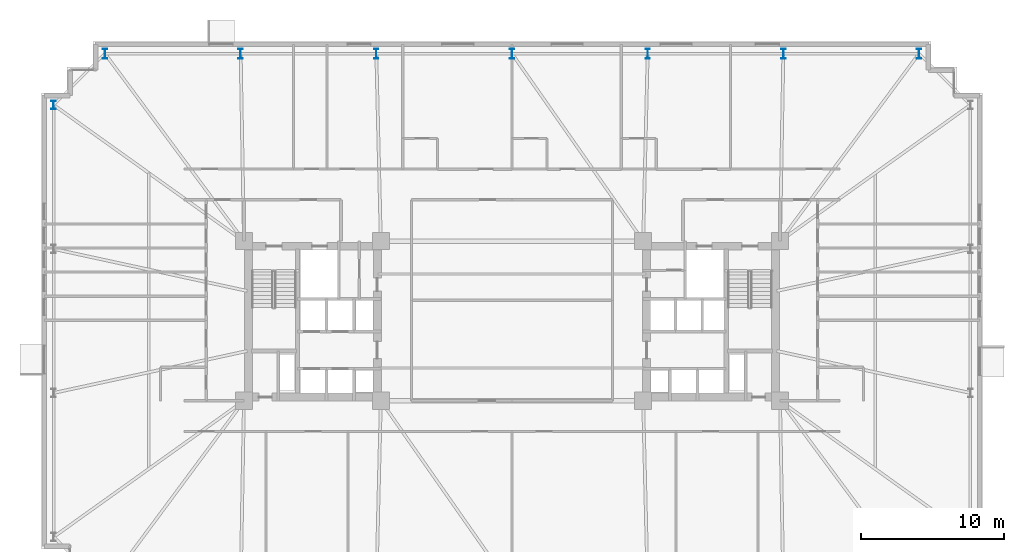
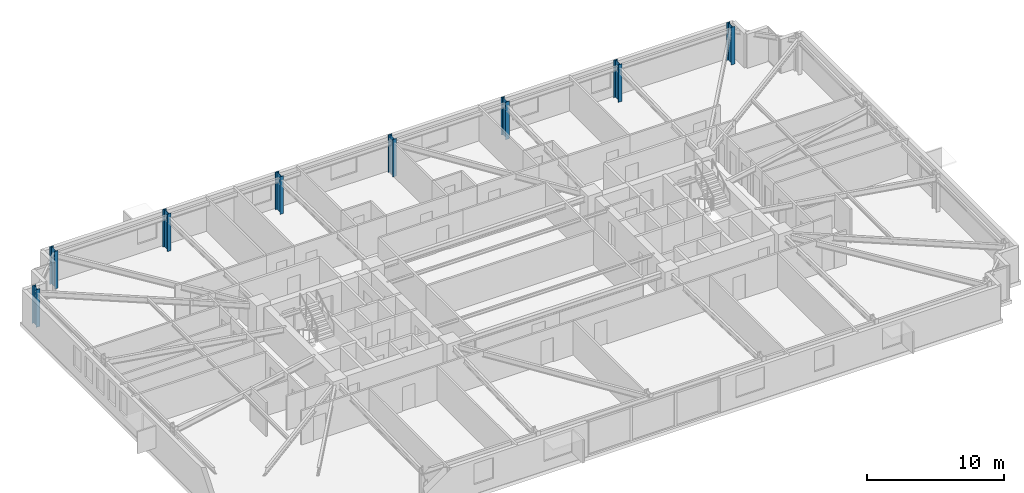
# One storey, part 2 of 24: 8 columns.
"""IFC4 building model written with IfcOpenShell, lengths in metres."""

from ifc_helpers import new_model, si_unit, direction, frame, origin, origin_2d, place, context, subcontext, project, spatial, i_section, extrude, material, material_profile, profile_set, type_object, element, save


model = new_model("IFC4")

# Units and contexts
model_context = context("Model", 3, precision=1e-05, world=origin(), true_north=direction((0.0, 1.0)))
body_context = subcontext(model_context, "Body", "Model", "MODEL_VIEW")
ifc_project = project(units=[si_unit("LENGTHUNIT", "METRE"), si_unit("AREAUNIT", "SQUARE_METRE"), si_unit("VOLUMEUNIT", "CUBIC_METRE"), si_unit("PLANEANGLEUNIT", "RADIAN"), si_unit("MASSUNIT", "GRAM", prefix="KILO")], contexts=[model_context])

# Site, building, storey
site_placement = place(None, origin())
site = spatial("IfcSite", under=ifc_project, at=site_placement, CompositionType="ELEMENT")
building_placement = place(site_placement, origin())
building = spatial("IfcBuilding", under=site, at=building_placement, Name="Qobustan Lattice House", CompositionType="ELEMENT")
storey_placement = place(building_placement, frame((0.0, 0.0, 50.449951171875)))
storey = spatial("IfcBuildingStorey", under=building, at=storey_placement, Name="L13", CompositionType="ELEMENT", Elevation=50.449951171875)

# Columns
ifc_material_1 = material(Name="Steel S460", Category="steel")
ifc_material_profile_1 = material_profile(ifc_material_1, i_section(OverallWidth=0.304931640625, OverallDepth=0.6201171875, WebThickness=0.02099609375, FlangeThickness=0.0400390625, FilletRadius=0.027099609375, at=origin_2d()), Name="HEM600")
ifc_profile_set_1 = profile_set([ifc_material_profile_1], Name="Steel S460")
column_type_1 = type_object("IfcColumnType", Name="COL-ST-HEM600", PredefinedType="COLUMN", material=ifc_profile_set_1)
column_placement = place(storey_placement, frame((-32.14990234375, 15.14990234375, 0.0), z_axis=(0.0, 0.0, 1.0), x_axis=(1.0, 0.0, 0.0)))
element("IfcColumn", 1, at=column_placement, inside=storey, type_object=column_type_1, Name="L13 B1 perimeter column W1", PredefinedType="COLUMN", context=body_context, shape_type="SweptSolid", body=[
    extrude(i_section(OverallWidth=0.304931640625, OverallDepth=0.6201171875, WebThickness=0.02099609375, FlangeThickness=0.0400390625, FilletRadius=0.027099609375, at=origin_2d()), origin(), (0.0, 0.0, 1.0), 3.35009765625),
])
ifc_material_2 = material(Name="Steel S460", Category="steel")
ifc_material_profile_2 = material_profile(ifc_material_2, i_section(OverallWidth=0.303955078125, OverallDepth=0.716064453125, WebThickness=0.02099609375, FlangeThickness=0.0400390625, FilletRadius=0.027099609375, at=origin_2d()), Name="HEM700")
ifc_profile_set_2 = profile_set([ifc_material_profile_2], Name="Steel S460")
column_type_2 = type_object("IfcColumnType", Name="COL-ST-HEM700", PredefinedType="COLUMN", material=ifc_profile_set_2)
for number, where, z_axis, x_axis, name in (
    (2, (28.550048828125, 18.75, 0.0), (0.0, 0.0, 1.0), (1.0, 0.0, 0.0), "L13 B1 perimeter column N1"),
    (3, (19.033203125, 18.75, 0.0), (0.0, 0.0, 1.0), (1.0, 0.0, 0.0), "L13 B1 perimeter column N2"),
    (4, (9.5166015625, 18.75, 0.0), (0.0, 0.0, 1.0), (1.0, 0.0, 0.0), "L13 B1 perimeter column N3"),
    (5, (0.0, 18.75, 0.0), (0.0, 0.0, 1.0), (1.0, 0.0, 0.0), "L13 B1 perimeter column N4"),
    (6, (-9.5166015625, 18.75, 0.0), (0.0, 0.0, 1.0), (1.0, 0.0, 0.0), "L13 B1 perimeter column N5"),
    (7, (-19.033203125, 18.75, 0.0), (0.0, 0.0, 1.0), (1.0, 0.0, 0.0), "L13 B1 perimeter column N6"),
    (8, (-28.550048828125, 18.75, 0.0), (0.0, 0.0, 1.0), (1.0, 0.0, 0.0), "L13 B1 perimeter column N7"),
):
    element("IfcColumn", number, at=place(storey_placement, frame(where, z_axis=z_axis, x_axis=x_axis)), inside=storey, type_object=column_type_2, Name=name, PredefinedType="COLUMN", context=body_context, shape_type="SweptSolid", body=[
        extrude(i_section(OverallWidth=0.303955078125, OverallDepth=0.716064453125, WebThickness=0.02099609375, FlangeThickness=0.0400390625, FilletRadius=0.027099609375, at=origin_2d()), origin(), (0.0, 0.0, 1.0), 3.35009765625),
    ])

save(model, "model.ifc")
